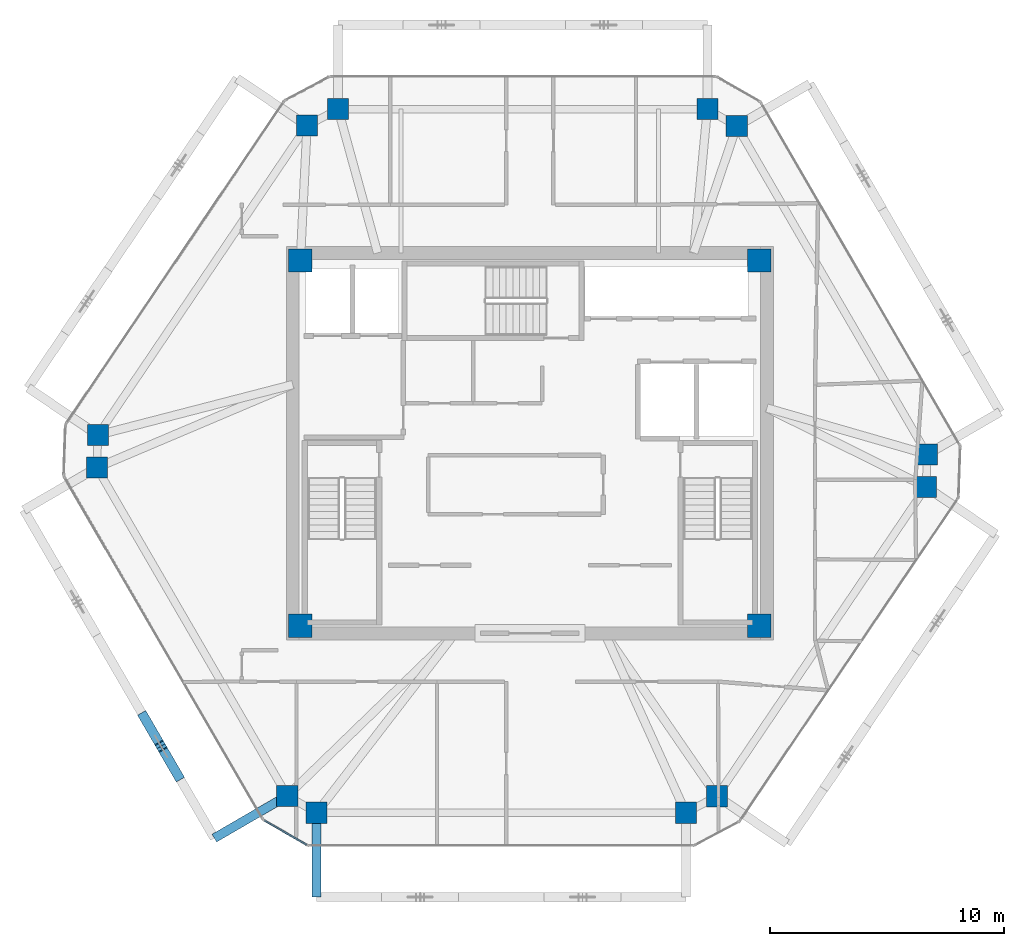
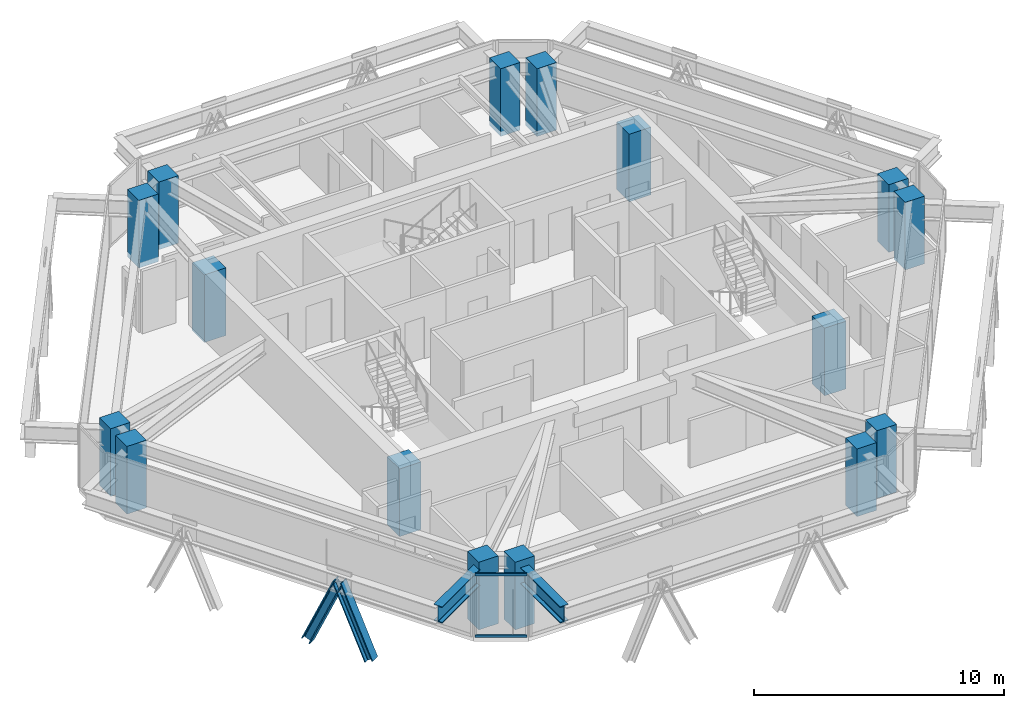
# One storey, part 1 of 13: 16 columns, 4 members, 2 beams, 1 element without a shape of its own.
"""IFC4 building model written with IfcOpenShell, lengths in metres."""

from ifc_helpers import new_model, si_unit, direction, frame, origin, origin_2d, place, context, subcontext, project, spatial, rectangle, i_section, extrude, source, transform, mapped, material, layer, layer_set, material_profile, profile_set, type_object, type_shapes, element, aggregate, save


model = new_model("IFC4")

# Units and contexts
model_context = context("Model", 3, precision=1e-05, world=origin(), true_north=direction((0.0, 1.0)))
body_context = subcontext(model_context, "Body", "Model", "MODEL_VIEW")
ifc_project = project(units=[si_unit("LENGTHUNIT", "METRE"), si_unit("AREAUNIT", "SQUARE_METRE"), si_unit("VOLUMEUNIT", "CUBIC_METRE"), si_unit("PLANEANGLEUNIT", "RADIAN"), si_unit("MASSUNIT", "GRAM", prefix="KILO")], contexts=[model_context])

# Site, building, storey
site_placement = place(None, origin())
site = spatial("IfcSite", under=ifc_project, at=site_placement, CompositionType="ELEMENT")
building_placement = place(site_placement, origin())
building = spatial("IfcBuilding", under=site, at=building_placement, Name="Durnholm Broadcast Tower", CompositionType="ELEMENT")
storey_placement = place(building_placement, frame((0.0, 0.0, 228.199951171875)))
storey = spatial("IfcBuildingStorey", under=building, at=storey_placement, Name="L63", CompositionType="ELEMENT", Elevation=228.199951171875)

# Columns
ifc_material_1 = material(Name="Concrete C70/85", Category="concrete")
ifc_material_profile_1 = material_profile(ifc_material_1, rectangle(XDim=1.0, YDim=1.0, at=origin_2d()), Name="RC1000X1000")
ifc_profile_set_1 = profile_set([ifc_material_profile_1], Name="Concrete C70/85")
column_type_1 = type_object("IfcColumnType", Name="COL-CC-1000", PredefinedType="COLUMN", material=ifc_profile_set_1)
shared_shape_1 = source(origin(), body_context, "Body", "SweptSolid", [
    extrude(rectangle(XDim=1.0, YDim=1.0, at=origin_2d()), origin(), (0.0, 0.0, 1.0), 3.300048828125),
])
type_shapes(column_type_1, [shared_shape_1])
for number, where, z_axis, x_axis, name in (
    (1, (-9.800048828125, -7.800048828125, -0.239990234375), (0.0, 0.0, 1.0), (1.0, 0.0, 0.0), "L63 core corner column 1"),
    (2, (9.800048828125, -7.800048828125, -0.239990234375), (0.0, 0.0, 1.0), (1.0, 0.0, 0.0), "L63 core corner column 2"),
    (3, (9.800048828125, 7.800048828125, -0.239990234375), (0.0, 0.0, 1.0), (1.0, 0.0, 0.0), "L63 core corner column 3"),
    (4, (-9.800048828125, 7.800048828125, -0.239990234375), (0.0, 0.0, 1.0), (1.0, 0.0, 0.0), "L63 core corner column 4"),
):
    element("IfcColumn", number, at=place(storey_placement, frame(where, z_axis=z_axis, x_axis=x_axis)), inside=storey, type_object=column_type_1, Name=name, PredefinedType="COLUMN", context=body_context, shape_type="MappedRepresentation", body=[
        mapped(shared_shape_1, transform((0.0, 0.0, 0.0), x_axis=(1.0, 0.0, 0.0), y_axis=(0.0, 1.0, 0.0), z_axis=(0.0, 0.0, 1.0), scale=1.0)),
    ])
ifc_material_profile_2 = material_profile(ifc_material_1, rectangle(XDim=0.89990234375, YDim=0.89990234375, at=origin_2d()), Name="RC900X900")
ifc_profile_set_2 = profile_set([ifc_material_profile_2], Name="Concrete C70/85")
column_type_2 = type_object("IfcColumnType", Name="COL-CC-900", PredefinedType="COLUMN", material=ifc_profile_set_2)
shared_shape_2 = source(origin(), body_context, "Body", "SweptSolid", [
    extrude(rectangle(XDim=0.89990234375, YDim=0.89990234375, at=origin_2d()), origin(), (0.0, 0.0, 1.0), 3.300048828125),
])
type_shapes(column_type_2, [shared_shape_2])
for number, where, z_axis, x_axis, name in (
    (5, (-10.361328125, -15.061767578125, -0.239990234375), (0.0, 0.0, 1.0), (1.0, 0.0, 0.0), "L63 perimeter hexagonal tube column 01"),
    (6, (-18.494384765625, -1.0478515625, -0.239990234375), (0.0, 0.0, 1.0), (1.0, 0.0, 0.0), "L63 perimeter hexagonal tube column 02"),
    (7, (-18.4462890625, 0.345947265625, -0.239990234375), (0.0, 0.0, 1.0), (1.0, 0.0, 0.0), "L63 perimeter hexagonal tube column 03"),
    (8, (-9.514892578125, 13.557373046875, -0.239990234375), (0.0, 0.0, 1.0), (1.0, 0.0, 0.0), "L63 perimeter hexagonal tube column 04"),
    (9, (-8.187744140625, 14.261962890625, -0.239990234375), (0.0, 0.0, 1.0), (1.0, 0.0, 0.0), "L63 perimeter hexagonal tube column 05"),
    (10, (7.57958984375, 14.261962890625, -0.239990234375), (0.0, 0.0, 1.0), (1.0, 0.0, 0.0), "L63 perimeter hexagonal tube column 06"),
    (11, (8.83740234375, 13.53759765625, -0.239990234375), (0.0, 0.0, 1.0), (1.0, 0.0, 0.0), "L63 perimeter hexagonal tube column 07"),
    (12, (16.97021484375, -0.47607421875, -0.239990234375), (0.0, 0.0, 1.0), (1.0, 0.0, 0.0), "L63 perimeter hexagonal tube column 08"),
    (13, (16.92236328125, -1.869873046875, -0.239990234375), (0.0, 0.0, 1.0), (1.0, 0.0, 0.0), "L63 perimeter hexagonal tube column 09"),
    (14, (7.990966796875, -15.081298828125, -0.239990234375), (0.0, 0.0, 1.0), (1.0, 0.0, 0.0), "L63 perimeter hexagonal tube column 10"),
    (15, (6.663818359375, -15.785888671875, -0.239990234375), (0.0, 0.0, 1.0), (1.0, 0.0, 0.0), "L63 perimeter hexagonal tube column 11"),
    (16, (-9.103759765625, -15.785888671875, -0.239990234375), (0.0, 0.0, 1.0), (1.0, 0.0, 0.0), "L63 perimeter hexagonal tube column 12"),
):
    element("IfcColumn", number, at=place(storey_placement, frame(where, z_axis=z_axis, x_axis=x_axis)), inside=storey, type_object=column_type_2, Name=name, PredefinedType="COLUMN", context=body_context, shape_type="MappedRepresentation", body=[
        mapped(shared_shape_2, transform((0.0, 0.0, 0.0), x_axis=(1.0, 0.0, 0.0), y_axis=(0.0, 1.0, 0.0), z_axis=(0.0, 0.0, 1.0), scale=1.0)),
    ])

# Beams
ifc_material_2 = material(Name="Steel ASTM A992 Grade 50", Category="steel")
ifc_material_profile_3 = material_profile(ifc_material_2, i_section(OverallWidth=0.385009765625, OverallDepth=0.802978515625, WebThickness=0.023681640625, FlangeThickness=0.0419921875, FilletRadius=0.032958984375, at=origin_2d()), Name="W30X261")
ifc_profile_set_3 = profile_set([ifc_material_profile_3], Name="Steel ASTM A992 Grade 50")
beam_type = type_object("IfcBeamType", Name="BM-EXO-TIE", PredefinedType="USERDEFINED", material=ifc_profile_set_3)
shared_shape_3 = source(origin(), body_context, "Body", "SweptSolid", [
    extrude(i_section(OverallWidth=0.385009765625, OverallDepth=0.802978515625, WebThickness=0.023681640625, FlangeThickness=0.0419921875, FilletRadius=0.032958984375, at=origin_2d()), origin(), (0.0, 0.0, 1.0), 3.4560546875),
])
type_shapes(beam_type, [shared_shape_3])
for number, where, z_axis, x_axis, name in (
    (17, (-9.103759765625, -15.929931640625, 2.30859375), (0.0, -1.0, 0.0), (1.0, 0.0, 0.0), "L63 exoskeleton stand-off tie bracket F1.1"),
    (18, (-10.48583984375, -15.134033203125, 2.30859375), (-0.864924479231, -0.501902027518, 0.0), (0.501902027518, -0.864924479231, 0.0), "L63 exoskeleton stand-off tie bracket F6.2"),
):
    element("IfcBeam", number, at=place(storey_placement, frame(where, z_axis=z_axis, x_axis=x_axis)), inside=storey, type_object=beam_type, Name=name, ObjectType="GIRDER", PredefinedType="USERDEFINED", context=body_context, shape_type="MappedRepresentation", body=[
        mapped(shared_shape_3, transform((0.0, 0.0, 0.0), x_axis=(1.0, 0.0, 0.0), y_axis=(0.0, 1.0, 0.0), z_axis=(0.0, 0.0, 1.0), scale=1.0)),
    ])

# Members
ifc_material_3 = material(Name="Steel ASTM A913 Grade 65", Category="steel")
ifc_material_profile_4 = material_profile(ifc_material_3, i_section(OverallWidth=0.40625, OverallDepth=0.416015625, WebThickness=0.02978515625, FlangeThickness=0.048095703125, FilletRadius=0.030517578125, at=origin_2d()), Name="W14X257")
ifc_profile_set_4 = profile_set([ifc_material_profile_4], Name="Steel ASTM A913 Grade 65")
member_type_1 = type_object("IfcMemberType", Name="STL-DG-W14X257", PredefinedType="BRACE", material=ifc_profile_set_4)
shared_shape_4 = source(origin(), body_context, "Body", "SweptSolid", [
    extrude(i_section(OverallWidth=0.40625, OverallDepth=0.416015625, WebThickness=0.02978515625, FlangeThickness=0.048095703125, FilletRadius=0.030517578125, at=origin_2d()), origin(), (0.0, 0.0, 1.0), 3.60791015625),
])
type_shapes(member_type_1, [shared_shape_4])
for number, where, z_axis, x_axis, name in (
    (19, (-16.484130859375, -11.68359375, -0.991455078125), (0.202871189729, -0.349577240207, 0.914679743685), (0.864906184135, 0.501933554014, 0.0), "L63 stand-off diagrid brace F6.D2.1"),
    (20, (-15.020263671875, -14.2060546875, -0.991455078125), (-0.202871189729, 0.349577240207, 0.914679743685), (-0.864906184135, -0.501933554014, 0.0), "L63 stand-off diagrid brace F6.D2.2"),
):
    element("IfcMember", number, at=place(storey_placement, frame(where, z_axis=z_axis, x_axis=x_axis)), inside=storey, type_object=member_type_1, Name=name, PredefinedType="BRACE", context=body_context, shape_type="MappedRepresentation", body=[
        mapped(shared_shape_4, transform((0.0, 0.0, 0.0), x_axis=(1.0, 0.0, 0.0), y_axis=(0.0, 1.0, 0.0), z_axis=(0.0, 0.0, 1.0), scale=1.0)),
    ])

# Curtain wall, members
ifc_material_4 = material(Name="Aluminium and Solar Control IGU", Category="aluminium")
ifc_layer = layer(ifc_material_4, 0.1650390625)
ifc_layer_set = layer_set([ifc_layer], Name="Aluminium and Solar Control IGU")
curtain_wall_type = type_object("IfcCurtainWallType", Name="CW-SYS-5", PredefinedType="NOTDEFINED", material=ifc_layer_set)
curtain_wall_placement = place(storey_placement, origin())
curtain_wall = element("IfcCurtainWall", 21, at=curtain_wall_placement, inside=storey, type_object=curtain_wall_type, Name="L63 curtain wall CW-CORNER CW-L63-CRN-11", PredefinedType="NOTDEFINED")
ifc_material_5 = material(Name="Aluminium 6063-T6", Category="aluminium")
ifc_material_profile_5 = material_profile(ifc_material_5, rectangle(XDim=0.06494140625, YDim=0.1298828125, at=origin_2d()), Name="CWT65X130")
ifc_profile_set_5 = profile_set([ifc_material_profile_5], Name="Aluminium 6063-T6")
member_type_2 = type_object("IfcMemberType", Name="CW-SYS-5-TRN", PredefinedType="USERDEFINED", material=ifc_profile_set_5)
shared_shape_5 = source(origin(), body_context, "Body", "SweptSolid", [
    extrude(rectangle(XDim=0.06494140625, YDim=0.1298828125, at=origin_2d()), origin(), (0.0, 0.0, 1.0), 2.06982421875),
])
type_shapes(member_type_2, [shared_shape_5])
member_1_placement = place(storey_placement, frame((-9.534423828125, -17.153564453125, 0.032470703125), z_axis=(-0.866576086718, 0.499044973854, 0.0), x_axis=(-0.499044973854, -0.866576086718, 0.0)))
member_1 = element("IfcMember", 22, at=member_1_placement, type_object=member_type_2, Name="CW-CORNER transom 1.1", ObjectType="TRANSOM", PredefinedType="USERDEFINED", context=body_context, shape_type="MappedRepresentation", body=[
    mapped(shared_shape_5, transform((0.0, 0.0, 0.0), x_axis=(1.0, 0.0, 0.0), y_axis=(0.0, 1.0, 0.0), z_axis=(0.0, 0.0, 1.0), scale=1.0)),
])
member_2_placement = place(storey_placement, frame((-9.534423828125, -17.153564453125, 3.027587890625), z_axis=(-0.866576086718, 0.499044973854, 0.0), x_axis=(-0.499044973854, -0.866576086718, 0.0)))
member_2 = element("IfcMember", 23, at=member_2_placement, type_object=member_type_2, Name="CW-CORNER transom 1.2", ObjectType="TRANSOM", PredefinedType="USERDEFINED", context=body_context, shape_type="MappedRepresentation", body=[
    mapped(shared_shape_5, transform((0.0, 0.0, 0.0), x_axis=(1.0, 0.0, 0.0), y_axis=(0.0, 1.0, 0.0), z_axis=(0.0, 0.0, 1.0), scale=1.0)),
])
aggregate(curtain_wall, [member_1, member_2])

save(model, "model.ifc")
